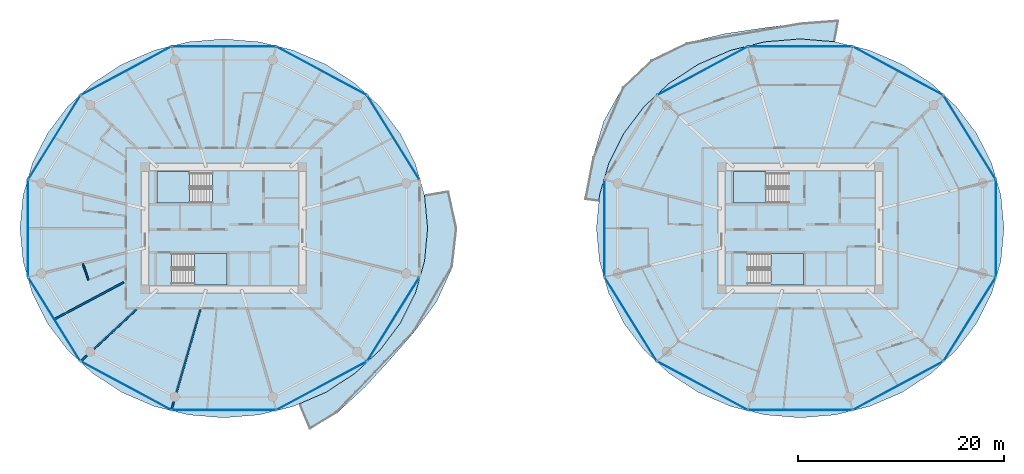
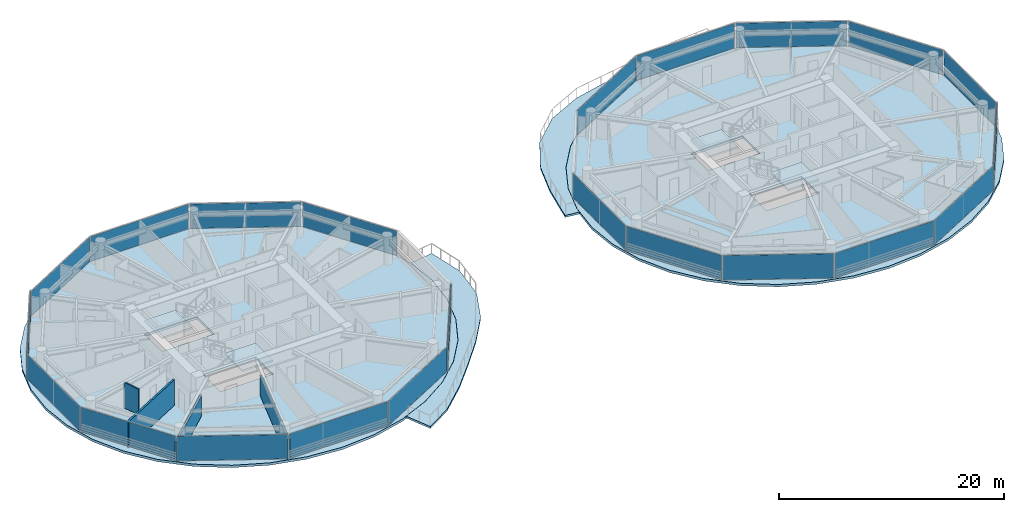
# One storey, part 14 of 27: 22 plates, 8 slabs, 4 walls, 26 elements without a shape of their own.
"""IFC4 building model written with IfcOpenShell, lengths in metres."""

from ifc_helpers import new_model, si_unit, direction, frame, frame_2d, origin, origin_2d, place, context, subcontext, project, spatial, polyline, rectangle, outline, extrude, source, transform, mapped, material, layer, layer_set, type_object, type_shapes, element, aggregate, save


model = new_model("IFC4")

# Units and contexts
model_context = context("Model", 3, precision=1e-05, world=origin(), true_north=direction((0.0, 1.0)))
body_context = subcontext(model_context, "Body", "Model", "MODEL_VIEW")
ifc_project = project(units=[si_unit("LENGTHUNIT", "METRE"), si_unit("AREAUNIT", "SQUARE_METRE"), si_unit("VOLUMEUNIT", "CUBIC_METRE"), si_unit("PLANEANGLEUNIT", "RADIAN"), si_unit("MASSUNIT", "GRAM", prefix="KILO")], contexts=[model_context])

# Site, building, storey
site_placement = place(None, origin())
site = spatial("IfcSite", under=ifc_project, at=site_placement, CompositionType="ELEMENT")
building_placement = place(site_placement, origin())
building = spatial("IfcBuilding", under=site, at=building_placement, Name="Norrkilde Senior Care Towers", CompositionType="ELEMENT")
storey_placement = place(building_placement, frame((0.0, 0.0, 61.25)))
storey = spatial("IfcBuildingStorey", under=building, at=storey_placement, Name="L18", CompositionType="ELEMENT", Elevation=61.25)

# Slabs
ifc_material_1 = material(Name="Concrete C50/60", Category="concrete")
ifc_layer_1 = layer(ifc_material_1, 0.215087890625)
ifc_layer_set_1 = layer_set([ifc_layer_1], Name="Concrete C50/60")
slab_type_1 = type_object("IfcSlabType", Name="Sinusoidal Balcony Ribbon Slab 215", PredefinedType="FLOOR", material=ifc_layer_set_1)
slab_1_placement = place(storey_placement, frame((0.0, 0.0, -0.215087890625)))
element("IfcSlab", 1, at=slab_1_placement, inside=storey, type_object=slab_type_1, Name="L18 Drum W Swirling Senior Balcony 1", PredefinedType="FLOOR", context=body_context, shape_type="SweptSolid", body=[
    extrude(outline(polyline([(-9.48828125, -10.0478515625), (-11.830078125, -12.732421875), (-14.259521484375, -15.394775390625), (-17.019287109375, -17.949462890625), (-19.6513671875, -19.542236328125), (-20.70751953125, -17.0703125), (-18.097412109375, -15.939208984375), (-15.26953125, -14.09912109375), (-12.828369140625, -11.83056640625), (-10.848388671875, -9.202392578125), (-9.389404296875, -6.294921875), (-8.495849609375, -3.196044921875), (-8.195068359375, 0.0), (-8.495849609375, 3.196044921875), (-8.511474609375, 3.25), (-6.128662109375, 3.647216796875), (-6.1279296875, 3.645263671875), (-5.337890625, 0.0), (-5.767333984375, -3.7138671875), (-7.31494140625, -7.107421875), (-9.48828125, -10.0478515625)])), origin(), (0.0, 0.0, 1.0), 0.215087890625),
])
slab_2_placement = place(storey_placement, frame((0.0, 0.0, -0.215087890625)))
element("IfcSlab", 2, at=slab_2_placement, inside=storey, type_object=slab_type_1, Name="L18 Drum E Swirling Senior Balcony 1", PredefinedType="FLOOR", context=body_context, shape_type="SweptSolid", body=[
    extrude(outline(polyline([(7.859619140625, 6.89404296875), (8.910888671875, 10.406494140625), (10.747314453125, 13.7099609375), (13.524169921875, 16.337646484375), (16.982177734375, 18.018310546875), (20.6787109375, 18.914306640625), (24.34228515625, 19.460205078125), (28.0, 19.948974609375), (31.774169921875, 20.2431640625), (31.38037109375, 18.130126953125), (28.0, 18.405029296875), (24.560791015625, 18.12548828125), (21.226318359375, 17.294921875), (18.097412109375, 15.939208984375), (15.26953125, 14.09912109375), (12.828369140625, 11.83056640625), (10.848388671875, 9.202392578125), (9.389404296875, 6.294921875), (8.495849609375, 3.196044921875), (8.439697265625, 2.599853515625), (7.062255859375, 2.782958984375), (7.174072265625, 3.44677734375), (7.859619140625, 6.89404296875)])), origin(), (0.0, 0.0, 1.0), 0.215087890625),
])

# Stair, slab
ifc_material_2 = material(Name="Concrete C45/55", Category="concrete")
stair_type = type_object("IfcStairType", Name="Core Protected Dogleg Stair Typical 3050", PredefinedType="HALF_TURN_STAIR", material=ifc_material_2)
stair_1_placement = place(storey_placement, origin())
stair_1 = element("IfcStair", 3, at=stair_1_placement, inside=storey, type_object=stair_type, Name="L18 Protected Core Stair W1", PredefinedType="HALF_TURN_STAIR")
ifc_layer_2 = layer(ifc_material_2, 0.199951171875)
ifc_layer_set_2 = layer_set([ifc_layer_2], Name="Concrete C45/55")
slab_type_2 = type_object("IfcSlabType", Name="Stair Landing Slab 200", PredefinedType="LANDING", material=ifc_layer_set_2)
slab_3_placement = place(storey_placement, frame((0.0, 0.0, 1.324951171875)))
slab_3 = element("IfcSlab", 4, at=slab_3_placement, type_object=slab_type_2, Name="ST-W1 landing 1", PredefinedType="LANDING", context=body_context, shape_type="SweptSolid", body=[
    extrude(outline(polyline([(-31.340087890625, 5.52490234375), (-34.5, 5.52490234375), (-34.5, 2.449951171875), (-31.340087890625, 2.449951171875), (-31.340087890625, 5.52490234375)])), origin(), (0.0, 0.0, 1.0), 0.199951171875),
])
aggregate(stair_1, [slab_3])

stair_2_placement = place(storey_placement, origin())
stair_2 = element("IfcStair", 5, at=stair_2_placement, inside=storey, type_object=stair_type, Name="L18 Protected Core Stair W2", PredefinedType="HALF_TURN_STAIR")
slab_4_placement = place(storey_placement, frame((0.0, 0.0, 1.324951171875)))
slab_4 = element("IfcSlab", 6, at=slab_4_placement, type_object=slab_type_2, Name="ST-W2 landing 1", PredefinedType="LANDING", context=body_context, shape_type="SweptSolid", body=[
    extrude(outline(polyline([(-30.860107421875, -5.52490234375), (-27.699951171875, -5.52490234375), (-27.699951171875, -2.449951171875), (-30.860107421875, -2.449951171875), (-30.860107421875, -5.52490234375)])), origin(), (0.0, 0.0, 1.0), 0.199951171875),
])
aggregate(stair_2, [slab_4])

stair_3_placement = place(storey_placement, origin())
stair_3 = element("IfcStair", 7, at=stair_3_placement, inside=storey, type_object=stair_type, Name="L18 Protected Core Stair E1", PredefinedType="HALF_TURN_STAIR")
slab_5_placement = place(storey_placement, frame((0.0, 0.0, 1.324951171875)))
slab_5 = element("IfcSlab", 8, at=slab_5_placement, type_object=slab_type_2, Name="ST-E1 landing 1", PredefinedType="LANDING", context=body_context, shape_type="SweptSolid", body=[
    extrude(outline(polyline([(24.659912109375, 5.52490234375), (21.5, 5.52490234375), (21.5, 2.449951171875), (24.659912109375, 2.449951171875), (24.659912109375, 5.52490234375)])), origin(), (0.0, 0.0, 1.0), 0.199951171875),
])
aggregate(stair_3, [slab_5])

stair_4_placement = place(storey_placement, origin())
stair_4 = element("IfcStair", 9, at=stair_4_placement, inside=storey, type_object=stair_type, Name="L18 Protected Core Stair E2", PredefinedType="HALF_TURN_STAIR")
slab_6_placement = place(storey_placement, frame((0.0, 0.0, 1.324951171875)))
slab_6 = element("IfcSlab", 10, at=slab_6_placement, type_object=slab_type_2, Name="ST-E2 landing 1", PredefinedType="LANDING", context=body_context, shape_type="SweptSolid", body=[
    extrude(outline(polyline([(25.139892578125, -5.52490234375), (28.300048828125, -5.52490234375), (28.300048828125, -2.449951171875), (25.139892578125, -2.449951171875), (25.139892578125, -5.52490234375)])), origin(), (0.0, 0.0, 1.0), 0.199951171875),
])
aggregate(stair_4, [slab_6])

# Slabs
ifc_layer_3 = layer(ifc_material_1, 0.260009765625)
ifc_layer_set_3 = layer_set([ifc_layer_3], Name="Concrete C50/60")
slab_type_3 = type_object("IfcSlabType", Name="Tower Care Floor Slab 260", PredefinedType="FLOOR", material=ifc_layer_set_3)
slab_7_placement = place(storey_placement, frame((0.0, 0.0, -0.260009765625)))
element("IfcSlab", 11, at=slab_7_placement, inside=storey, type_object=slab_type_3, Name="L18 Drum W Structural Floor Slab", PredefinedType="FLOOR", context=body_context, shape_type="SweptSolid", body=[
    extrude(outline(polyline([(-9.39404296875, -6.293212890625), (-10.852783203125, -9.199951171875), (-12.832275390625, -11.827392578125), (-15.272705078125, -14.09521484375), (-18.10009765625, -15.934814453125), (-21.22802734375, -17.290283203125), (-24.561767578125, -18.120361328125), (-28.0, -18.39990234375), (-31.438232421875, -18.120361328125), (-34.77197265625, -17.290283203125), (-37.89990234375, -15.934814453125), (-40.727294921875, -14.09521484375), (-43.167724609375, -11.827392578125), (-45.147216796875, -9.199951171875), (-46.60595703125, -6.293212890625), (-47.499267578125, -3.195068359375), (-47.800048828125, 0.0), (-47.499267578125, 3.195068359375), (-46.60595703125, 6.293212890625), (-45.147216796875, 9.199951171875), (-43.167724609375, 11.827392578125), (-40.727294921875, 14.09521484375), (-37.89990234375, 15.934814453125), (-34.77197265625, 17.290283203125), (-31.438232421875, 18.120361328125), (-28.0, 18.39990234375), (-24.561767578125, 18.120361328125), (-21.22802734375, 17.290283203125), (-18.10009765625, 15.934814453125), (-15.272705078125, 14.09521484375), (-12.832275390625, 11.827392578125), (-10.852783203125, 9.199951171875), (-9.39404296875, 6.293212890625), (-8.500732421875, 3.195068359375), (-8.199951171875, 0.0), (-8.500732421875, -3.195068359375), (-9.39404296875, -6.293212890625)]), holes=[polyline([(-34.48193359375, 2.468017578125), (-29.117919921875, 2.468017578125), (-29.117919921875, 5.52490234375), (-34.48193359375, 5.52490234375), (-34.48193359375, 2.468017578125)]), polyline([(-27.718017578125, -5.52490234375), (-27.718017578125, -2.468017578125), (-33.08203125, -2.468017578125), (-33.08203125, -5.52490234375), (-27.718017578125, -5.52490234375)])]), origin(), (0.0, 0.0, 1.0), 0.260009765625),
])
slab_8_placement = place(storey_placement, frame((0.0, 0.0, -0.260009765625)))
element("IfcSlab", 12, at=slab_8_placement, inside=storey, type_object=slab_type_3, Name="L18 Drum E Structural Floor Slab", PredefinedType="FLOOR", context=body_context, shape_type="SweptSolid", body=[
    extrude(outline(polyline([(46.60595703125, -6.293212890625), (45.147216796875, -9.199951171875), (43.167724609375, -11.827392578125), (40.727294921875, -14.09521484375), (37.89990234375, -15.934814453125), (34.77197265625, -17.290283203125), (31.438232421875, -18.120361328125), (28.0, -18.39990234375), (24.561767578125, -18.120361328125), (21.22802734375, -17.290283203125), (18.10009765625, -15.934814453125), (15.272705078125, -14.09521484375), (12.832275390625, -11.827392578125), (10.852783203125, -9.199951171875), (9.39404296875, -6.293212890625), (8.500732421875, -3.195068359375), (8.199951171875, 0.0), (8.500732421875, 3.195068359375), (9.39404296875, 6.293212890625), (10.852783203125, 9.199951171875), (12.832275390625, 11.827392578125), (15.272705078125, 14.09521484375), (18.10009765625, 15.934814453125), (21.22802734375, 17.290283203125), (24.561767578125, 18.120361328125), (28.0, 18.39990234375), (31.438232421875, 18.120361328125), (34.77197265625, 17.290283203125), (37.89990234375, 15.934814453125), (40.727294921875, 14.09521484375), (43.167724609375, 11.827392578125), (45.147216796875, 9.199951171875), (46.60595703125, 6.293212890625), (47.499267578125, 3.195068359375), (47.800048828125, 0.0), (47.499267578125, -3.195068359375), (46.60595703125, -6.293212890625)]), holes=[polyline([(21.51806640625, 2.468017578125), (26.882080078125, 2.468017578125), (26.882080078125, 5.52490234375), (21.51806640625, 5.52490234375), (21.51806640625, 2.468017578125)]), polyline([(28.281982421875, -5.52490234375), (28.281982421875, -2.468017578125), (22.91796875, -2.468017578125), (22.91796875, -5.52490234375), (28.281982421875, -5.52490234375)])]), origin(), (0.0, 0.0, 1.0), 0.260009765625),
])

# Curtain wall, plate
ifc_material_3 = material(Name="Triple Low-E Insulated Glazing", Category="glass")
ifc_layer_4 = layer(ifc_material_3, 0.199951171875)
ifc_layer_set_4 = layer_set([ifc_layer_4], Name="Triple Low-E Insulated Glazing")
curtain_wall_type = type_object("IfcCurtainWallType", Name="CW2 Zone 1 Memory Care Curtain Wall", PredefinedType="NOTDEFINED", material=ifc_layer_set_4)
curtain_wall_1_placement = place(storey_placement, origin())
curtain_wall_1 = element("IfcCurtainWall", 13, at=curtain_wall_1_placement, inside=storey, type_object=curtain_wall_type, Name="L18 Drum W Curtain Wall 00", PredefinedType="NOTDEFINED")
ifc_layer_5 = layer(ifc_material_3, 0.035888671875)
ifc_layer_set_5 = layer_set([ifc_layer_5], Name="Triple Low-E Insulated Glazing")
plate_type = type_object("IfcPlateType", Name="Triple Low-E Vision Curtain Panel 36", PredefinedType="CURTAIN_PANEL", material=ifc_layer_set_5)
shared_shape_1 = source(origin(), body_context, "Body", "SweptSolid", [
    extrude(rectangle(XDim=9.518798828125, YDim=0.035888671875, at=origin_2d()), origin(), (0.0, 0.0, 1.0), 2.669921875),
])
plate_1_placement = place(storey_placement, frame((-11.537353515625, 8.82861328125, 0.06005859375), z_axis=(0.0, 0.0, 1.0), x_axis=(0.527900951871, -0.849305943117, 0.0)))
plate_1 = element("IfcPlate", 14, at=plate_1_placement, type_object=plate_type, Name="CW-2 panel 1.1", PredefinedType="CURTAIN_PANEL", context=body_context, shape_type="MappedRepresentation", body=[
    mapped(shared_shape_1, transform((0.0, 0.0, 0.0), x_axis=(1.0, 0.0, 0.0), y_axis=(0.0, 1.0, 0.0), z_axis=(0.0, 0.0, 1.0), scale=1.0)),
])
aggregate(curtain_wall_1, [plate_1])

curtain_wall_2_placement = place(storey_placement, origin())
curtain_wall_2 = element("IfcCurtainWall", 15, at=curtain_wall_2_placement, inside=storey, type_object=curtain_wall_type, Name="L18 Drum W Curtain Wall 04", PredefinedType="NOTDEFINED")
plate_2_placement = place(storey_placement, frame((-44.462646484375, 8.82861328125, 0.06005859375), z_axis=(0.0, 0.0, 1.0), x_axis=(0.527900951871, 0.849305943117, 0.0)))
plate_2 = element("IfcPlate", 16, at=plate_2_placement, type_object=plate_type, Name="CW-2 panel 1.1", PredefinedType="CURTAIN_PANEL", context=body_context, shape_type="MappedRepresentation", body=[
    mapped(shared_shape_1, transform((0.0, 0.0, 0.0), x_axis=(1.0, 0.0, 0.0), y_axis=(0.0, 1.0, 0.0), z_axis=(0.0, 0.0, 1.0), scale=1.0)),
])
aggregate(curtain_wall_2, [plate_2])

curtain_wall_3_placement = place(storey_placement, origin())
curtain_wall_3 = element("IfcCurtainWall", 17, at=curtain_wall_3_placement, inside=storey, type_object=curtain_wall_type, Name="L18 Drum W Curtain Wall 06", PredefinedType="NOTDEFINED")
plate_3_placement = place(storey_placement, frame((-44.462646484375, -8.82861328125, 0.06005859375), z_axis=(0.0, 0.0, 1.0), x_axis=(-0.527900951871, 0.849305943117, 0.0)))
plate_3 = element("IfcPlate", 18, at=plate_3_placement, type_object=plate_type, Name="CW-2 panel 1.1", PredefinedType="CURTAIN_PANEL", context=body_context, shape_type="MappedRepresentation", body=[
    mapped(shared_shape_1, transform((0.0, 0.0, 0.0), x_axis=(1.0, 0.0, 0.0), y_axis=(0.0, 1.0, 0.0), z_axis=(0.0, 0.0, 1.0), scale=1.0)),
])
aggregate(curtain_wall_3, [plate_3])

curtain_wall_4_placement = place(storey_placement, origin())
curtain_wall_4 = element("IfcCurtainWall", 19, at=curtain_wall_4_placement, inside=storey, type_object=curtain_wall_type, Name="L18 Drum W Curtain Wall 10", PredefinedType="NOTDEFINED")
plate_4_placement = place(storey_placement, frame((-11.537353515625, -8.82861328125, 0.06005859375), z_axis=(0.0, 0.0, 1.0), x_axis=(-0.527900951871, -0.849305943117, 0.0)))
plate_4 = element("IfcPlate", 20, at=plate_4_placement, type_object=plate_type, Name="CW-2 panel 1.1", PredefinedType="CURTAIN_PANEL", context=body_context, shape_type="MappedRepresentation", body=[
    mapped(shared_shape_1, transform((0.0, 0.0, 0.0), x_axis=(1.0, 0.0, 0.0), y_axis=(0.0, 1.0, 0.0), z_axis=(0.0, 0.0, 1.0), scale=1.0)),
])
aggregate(curtain_wall_4, [plate_4])

curtain_wall_5_placement = place(storey_placement, origin())
curtain_wall_5 = element("IfcCurtainWall", 21, at=curtain_wall_5_placement, inside=storey, type_object=curtain_wall_type, Name="L18 Drum E Curtain Wall 00", PredefinedType="NOTDEFINED")
plate_5_placement = place(storey_placement, frame((44.462646484375, 8.82861328125, 0.06005859375), z_axis=(0.0, 0.0, 1.0), x_axis=(0.527900951871, -0.849305943117, 0.0)))
plate_5 = element("IfcPlate", 22, at=plate_5_placement, type_object=plate_type, Name="CW-2 panel 1.1", PredefinedType="CURTAIN_PANEL", context=body_context, shape_type="MappedRepresentation", body=[
    mapped(shared_shape_1, transform((0.0, 0.0, 0.0), x_axis=(1.0, 0.0, 0.0), y_axis=(0.0, 1.0, 0.0), z_axis=(0.0, 0.0, 1.0), scale=1.0)),
])
aggregate(curtain_wall_5, [plate_5])

curtain_wall_6_placement = place(storey_placement, origin())
curtain_wall_6 = element("IfcCurtainWall", 23, at=curtain_wall_6_placement, inside=storey, type_object=curtain_wall_type, Name="L18 Drum E Curtain Wall 06", PredefinedType="NOTDEFINED")
plate_6_placement = place(storey_placement, frame((11.537353515625, -8.82861328125, 0.06005859375), z_axis=(0.0, 0.0, 1.0), x_axis=(-0.527900951871, 0.849305943117, 0.0)))
plate_6 = element("IfcPlate", 24, at=plate_6_placement, type_object=plate_type, Name="CW-2 panel 1.1", PredefinedType="CURTAIN_PANEL", context=body_context, shape_type="MappedRepresentation", body=[
    mapped(shared_shape_1, transform((0.0, 0.0, 0.0), x_axis=(1.0, 0.0, 0.0), y_axis=(0.0, 1.0, 0.0), z_axis=(0.0, 0.0, 1.0), scale=1.0)),
])
aggregate(curtain_wall_6, [plate_6])

curtain_wall_7_placement = place(storey_placement, origin())
curtain_wall_7 = element("IfcCurtainWall", 25, at=curtain_wall_7_placement, inside=storey, type_object=curtain_wall_type, Name="L18 Drum E Curtain Wall 10", PredefinedType="NOTDEFINED")
plate_7_placement = place(storey_placement, frame((44.462646484375, -8.82861328125, 0.06005859375), z_axis=(0.0, 0.0, 1.0), x_axis=(-0.527900951871, -0.849305943117, 0.0)))
plate_7 = element("IfcPlate", 26, at=plate_7_placement, type_object=plate_type, Name="CW-2 panel 1.1", PredefinedType="CURTAIN_PANEL", context=body_context, shape_type="MappedRepresentation", body=[
    mapped(shared_shape_1, transform((0.0, 0.0, 0.0), x_axis=(1.0, 0.0, 0.0), y_axis=(0.0, 1.0, 0.0), z_axis=(0.0, 0.0, 1.0), scale=1.0)),
])
aggregate(curtain_wall_7, [plate_7])

curtain_wall_8_placement = place(storey_placement, origin())
curtain_wall_8 = element("IfcCurtainWall", 27, at=curtain_wall_8_placement, inside=storey, type_object=curtain_wall_type, Name="L18 Drum W Curtain Wall 01", PredefinedType="NOTDEFINED")
shared_shape_2 = source(origin(), body_context, "Body", "SweptSolid", [
    extrude(rectangle(XDim=9.880859375, YDim=0.035888671875, at=origin_2d()), origin(), (0.0, 0.0, 1.0), 2.669921875),
])
plate_8_placement = place(storey_placement, frame((-18.495361328125, 15.29150390625, 0.06005859375), z_axis=(0.0, 0.0, 1.0), x_axis=(0.881272866403, -0.472607802456, 0.0)))
plate_8 = element("IfcPlate", 28, at=plate_8_placement, type_object=plate_type, Name="CW-2 panel 1.1", PredefinedType="CURTAIN_PANEL", context=body_context, shape_type="MappedRepresentation", body=[
    mapped(shared_shape_2, transform((0.0, 0.0, 0.0), x_axis=(1.0, 0.0, 0.0), y_axis=(0.0, 1.0, 0.0), z_axis=(0.0, 0.0, 1.0), scale=1.0)),
])
aggregate(curtain_wall_8, [plate_8])

curtain_wall_9_placement = place(storey_placement, origin())
curtain_wall_9 = element("IfcCurtainWall", 29, at=curtain_wall_9_placement, inside=storey, type_object=curtain_wall_type, Name="L18 Drum W Curtain Wall 03", PredefinedType="NOTDEFINED")
plate_9_placement = place(storey_placement, frame((-37.504638671875, 15.29150390625, 0.06005859375), z_axis=(0.0, 0.0, 1.0), x_axis=(0.881272866403, 0.472607802456, 0.0)))
plate_9 = element("IfcPlate", 30, at=plate_9_placement, type_object=plate_type, Name="CW-2 panel 1.1", PredefinedType="CURTAIN_PANEL", context=body_context, shape_type="MappedRepresentation", body=[
    mapped(shared_shape_2, transform((0.0, 0.0, 0.0), x_axis=(1.0, 0.0, 0.0), y_axis=(0.0, 1.0, 0.0), z_axis=(0.0, 0.0, 1.0), scale=1.0)),
])
aggregate(curtain_wall_9, [plate_9])

curtain_wall_10_placement = place(storey_placement, origin())
curtain_wall_10 = element("IfcCurtainWall", 31, at=curtain_wall_10_placement, inside=storey, type_object=curtain_wall_type, Name="L18 Drum W Curtain Wall 07", PredefinedType="NOTDEFINED")
plate_10_placement = place(storey_placement, frame((-37.504638671875, -15.29150390625, 0.06005859375), z_axis=(0.0, 0.0, 1.0), x_axis=(-0.881272866403, 0.472607802456, 0.0)))
plate_10 = element("IfcPlate", 32, at=plate_10_placement, type_object=plate_type, Name="CW-2 panel 1.1", PredefinedType="CURTAIN_PANEL", context=body_context, shape_type="MappedRepresentation", body=[
    mapped(shared_shape_2, transform((0.0, 0.0, 0.0), x_axis=(1.0, 0.0, 0.0), y_axis=(0.0, 1.0, 0.0), z_axis=(0.0, 0.0, 1.0), scale=1.0)),
])
aggregate(curtain_wall_10, [plate_10])

curtain_wall_11_placement = place(storey_placement, origin())
curtain_wall_11 = element("IfcCurtainWall", 33, at=curtain_wall_11_placement, inside=storey, type_object=curtain_wall_type, Name="L18 Drum W Curtain Wall 09", PredefinedType="NOTDEFINED")
plate_11_placement = place(storey_placement, frame((-18.495361328125, -15.29150390625, 0.06005859375), z_axis=(0.0, 0.0, 1.0), x_axis=(-0.881272866403, -0.472607802456, 0.0)))
plate_11 = element("IfcPlate", 34, at=plate_11_placement, type_object=plate_type, Name="CW-2 panel 1.1", PredefinedType="CURTAIN_PANEL", context=body_context, shape_type="MappedRepresentation", body=[
    mapped(shared_shape_2, transform((0.0, 0.0, 0.0), x_axis=(1.0, 0.0, 0.0), y_axis=(0.0, 1.0, 0.0), z_axis=(0.0, 0.0, 1.0), scale=1.0)),
])
aggregate(curtain_wall_11, [plate_11])

curtain_wall_12_placement = place(storey_placement, origin())
curtain_wall_12 = element("IfcCurtainWall", 35, at=curtain_wall_12_placement, inside=storey, type_object=curtain_wall_type, Name="L18 Drum E Curtain Wall 01", PredefinedType="NOTDEFINED")
plate_12_placement = place(storey_placement, frame((37.504638671875, 15.29150390625, 0.06005859375), z_axis=(0.0, 0.0, 1.0), x_axis=(0.881272866403, -0.472607802456, 0.0)))
plate_12 = element("IfcPlate", 36, at=plate_12_placement, type_object=plate_type, Name="CW-2 panel 1.1", PredefinedType="CURTAIN_PANEL", context=body_context, shape_type="MappedRepresentation", body=[
    mapped(shared_shape_2, transform((0.0, 0.0, 0.0), x_axis=(1.0, 0.0, 0.0), y_axis=(0.0, 1.0, 0.0), z_axis=(0.0, 0.0, 1.0), scale=1.0)),
])
aggregate(curtain_wall_12, [plate_12])

curtain_wall_13_placement = place(storey_placement, origin())
curtain_wall_13 = element("IfcCurtainWall", 37, at=curtain_wall_13_placement, inside=storey, type_object=curtain_wall_type, Name="L18 Drum E Curtain Wall 03", PredefinedType="NOTDEFINED")
plate_13_placement = place(storey_placement, frame((18.495361328125, 15.29150390625, 0.06005859375), z_axis=(0.0, 0.0, 1.0), x_axis=(0.881272866403, 0.472607802456, 0.0)))
plate_13 = element("IfcPlate", 38, at=plate_13_placement, type_object=plate_type, Name="CW-2 panel 1.1", PredefinedType="CURTAIN_PANEL", context=body_context, shape_type="MappedRepresentation", body=[
    mapped(shared_shape_2, transform((0.0, 0.0, 0.0), x_axis=(1.0, 0.0, 0.0), y_axis=(0.0, 1.0, 0.0), z_axis=(0.0, 0.0, 1.0), scale=1.0)),
])
aggregate(curtain_wall_13, [plate_13])

curtain_wall_14_placement = place(storey_placement, origin())
curtain_wall_14 = element("IfcCurtainWall", 39, at=curtain_wall_14_placement, inside=storey, type_object=curtain_wall_type, Name="L18 Drum E Curtain Wall 07", PredefinedType="NOTDEFINED")
plate_14_placement = place(storey_placement, frame((18.495361328125, -15.29150390625, 0.06005859375), z_axis=(0.0, 0.0, 1.0), x_axis=(-0.881272866403, 0.472607802456, 0.0)))
plate_14 = element("IfcPlate", 40, at=plate_14_placement, type_object=plate_type, Name="CW-2 panel 1.1", PredefinedType="CURTAIN_PANEL", context=body_context, shape_type="MappedRepresentation", body=[
    mapped(shared_shape_2, transform((0.0, 0.0, 0.0), x_axis=(1.0, 0.0, 0.0), y_axis=(0.0, 1.0, 0.0), z_axis=(0.0, 0.0, 1.0), scale=1.0)),
])
aggregate(curtain_wall_14, [plate_14])

curtain_wall_15_placement = place(storey_placement, origin())
curtain_wall_15 = element("IfcCurtainWall", 41, at=curtain_wall_15_placement, inside=storey, type_object=curtain_wall_type, Name="L18 Drum E Curtain Wall 09", PredefinedType="NOTDEFINED")
plate_15_placement = place(storey_placement, frame((37.504638671875, -15.29150390625, 0.06005859375), z_axis=(0.0, 0.0, 1.0), x_axis=(-0.881272866403, -0.472607802456, 0.0)))
plate_15 = element("IfcPlate", 42, at=plate_15_placement, type_object=plate_type, Name="CW-2 panel 1.1", PredefinedType="CURTAIN_PANEL", context=body_context, shape_type="MappedRepresentation", body=[
    mapped(shared_shape_2, transform((0.0, 0.0, 0.0), x_axis=(1.0, 0.0, 0.0), y_axis=(0.0, 1.0, 0.0), z_axis=(0.0, 0.0, 1.0), scale=1.0)),
])
aggregate(curtain_wall_15, [plate_15])

curtain_wall_16_placement = place(storey_placement, origin())
curtain_wall_16 = element("IfcCurtainWall", 43, at=curtain_wall_16_placement, inside=storey, type_object=curtain_wall_type, Name="L18 Drum W Curtain Wall 05", PredefinedType="NOTDEFINED")
shared_shape_3 = source(origin(), body_context, "Body", "SweptSolid", [
    extrude(rectangle(XDim=9.33251953125, YDim=0.035888671875, at=origin_2d()), origin(), (0.0, 0.0, 1.0), 2.669921875),
])
plate_16_placement = place(storey_placement, frame((-47.009521484375, 0.0, 0.06005859375), z_axis=(0.0, 0.0, 1.0), x_axis=(0.0, 1.0, 0.0)))
plate_16 = element("IfcPlate", 44, at=plate_16_placement, type_object=plate_type, Name="CW-2 panel 1.1", PredefinedType="CURTAIN_PANEL", context=body_context, shape_type="MappedRepresentation", body=[
    mapped(shared_shape_3, transform((0.0, 0.0, 0.0), x_axis=(1.0, 0.0, 0.0), y_axis=(0.0, 1.0, 0.0), z_axis=(0.0, 0.0, 1.0), scale=1.0)),
])
aggregate(curtain_wall_16, [plate_16])

curtain_wall_17_placement = place(storey_placement, origin())
curtain_wall_17 = element("IfcCurtainWall", 45, at=curtain_wall_17_placement, inside=storey, type_object=curtain_wall_type, Name="L18 Drum E Curtain Wall 05", PredefinedType="NOTDEFINED")
plate_17_placement = place(storey_placement, frame((8.990478515625, 0.0, 0.06005859375), z_axis=(0.0, 0.0, 1.0), x_axis=(0.0, 1.0, 0.0)))
plate_17 = element("IfcPlate", 46, at=plate_17_placement, type_object=plate_type, Name="CW-2 panel 1.1", PredefinedType="CURTAIN_PANEL", context=body_context, shape_type="MappedRepresentation", body=[
    mapped(shared_shape_3, transform((0.0, 0.0, 0.0), x_axis=(1.0, 0.0, 0.0), y_axis=(0.0, 1.0, 0.0), z_axis=(0.0, 0.0, 1.0), scale=1.0)),
])
aggregate(curtain_wall_17, [plate_17])

curtain_wall_18_placement = place(storey_placement, origin())
curtain_wall_18 = element("IfcCurtainWall", 47, at=curtain_wall_18_placement, inside=storey, type_object=curtain_wall_type, Name="L18 Drum E Curtain Wall 11", PredefinedType="NOTDEFINED")
plate_18_placement = place(storey_placement, frame((47.009521484375, 0.0, 0.06005859375), z_axis=(0.0, 0.0, 1.0), x_axis=(0.0, -1.0, 0.0)))
plate_18 = element("IfcPlate", 48, at=plate_18_placement, type_object=plate_type, Name="CW-2 panel 1.1", PredefinedType="CURTAIN_PANEL", context=body_context, shape_type="MappedRepresentation", body=[
    mapped(shared_shape_3, transform((0.0, 0.0, 0.0), x_axis=(1.0, 0.0, 0.0), y_axis=(0.0, 1.0, 0.0), z_axis=(0.0, 0.0, 1.0), scale=1.0)),
])
aggregate(curtain_wall_18, [plate_18])

curtain_wall_19_placement = place(storey_placement, origin())
curtain_wall_19 = element("IfcCurtainWall", 49, at=curtain_wall_19_placement, inside=storey, type_object=curtain_wall_type, Name="L18 Drum W Curtain Wall 02", PredefinedType="NOTDEFINED")
shared_shape_4 = source(origin(), body_context, "Body", "SweptSolid", [
    extrude(rectangle(XDim=10.05712890625, YDim=0.035888671875, at=origin_2d()), origin(), (0.0, 0.0, 1.0), 2.669921875),
])
type_shapes(plate_type, [shared_shape_1, shared_shape_2, shared_shape_3, shared_shape_4])
plate_19_placement = place(storey_placement, frame((-28.0, 17.6572265625, 0.06005859375), z_axis=(0.0, 0.0, 1.0), x_axis=(1.0, 0.0, 0.0)))
plate_19 = element("IfcPlate", 50, at=plate_19_placement, type_object=plate_type, Name="CW-2 panel 1.1", PredefinedType="CURTAIN_PANEL", context=body_context, shape_type="MappedRepresentation", body=[
    mapped(shared_shape_4, transform((0.0, 0.0, 0.0), x_axis=(1.0, 0.0, 0.0), y_axis=(0.0, 1.0, 0.0), z_axis=(0.0, 0.0, 1.0), scale=1.0)),
])
aggregate(curtain_wall_19, [plate_19])

curtain_wall_20_placement = place(storey_placement, origin())
curtain_wall_20 = element("IfcCurtainWall", 51, at=curtain_wall_20_placement, inside=storey, type_object=curtain_wall_type, Name="L18 Drum W Curtain Wall 08", PredefinedType="NOTDEFINED")
plate_20_placement = place(storey_placement, frame((-28.0, -17.6572265625, 0.06005859375), z_axis=(0.0, 0.0, 1.0), x_axis=(-1.0, 0.0, 0.0)))
plate_20 = element("IfcPlate", 52, at=plate_20_placement, type_object=plate_type, Name="CW-2 panel 1.1", PredefinedType="CURTAIN_PANEL", context=body_context, shape_type="MappedRepresentation", body=[
    mapped(shared_shape_4, transform((0.0, 0.0, 0.0), x_axis=(1.0, 0.0, 0.0), y_axis=(0.0, 1.0, 0.0), z_axis=(0.0, 0.0, 1.0), scale=1.0)),
])
aggregate(curtain_wall_20, [plate_20])

curtain_wall_21_placement = place(storey_placement, origin())
curtain_wall_21 = element("IfcCurtainWall", 53, at=curtain_wall_21_placement, inside=storey, type_object=curtain_wall_type, Name="L18 Drum E Curtain Wall 02", PredefinedType="NOTDEFINED")
plate_21_placement = place(storey_placement, frame((28.0, 17.6572265625, 0.06005859375), z_axis=(0.0, 0.0, 1.0), x_axis=(1.0, 0.0, 0.0)))
plate_21 = element("IfcPlate", 54, at=plate_21_placement, type_object=plate_type, Name="CW-2 panel 1.1", PredefinedType="CURTAIN_PANEL", context=body_context, shape_type="MappedRepresentation", body=[
    mapped(shared_shape_4, transform((0.0, 0.0, 0.0), x_axis=(1.0, 0.0, 0.0), y_axis=(0.0, 1.0, 0.0), z_axis=(0.0, 0.0, 1.0), scale=1.0)),
])
aggregate(curtain_wall_21, [plate_21])

curtain_wall_22_placement = place(storey_placement, origin())
curtain_wall_22 = element("IfcCurtainWall", 55, at=curtain_wall_22_placement, inside=storey, type_object=curtain_wall_type, Name="L18 Drum E Curtain Wall 08", PredefinedType="NOTDEFINED")
plate_22_placement = place(storey_placement, frame((28.0, -17.6572265625, 0.06005859375), z_axis=(0.0, 0.0, 1.0), x_axis=(-1.0, 0.0, 0.0)))
plate_22 = element("IfcPlate", 56, at=plate_22_placement, type_object=plate_type, Name="CW-2 panel 1.1", PredefinedType="CURTAIN_PANEL", context=body_context, shape_type="MappedRepresentation", body=[
    mapped(shared_shape_4, transform((0.0, 0.0, 0.0), x_axis=(1.0, 0.0, 0.0), y_axis=(0.0, 1.0, 0.0), z_axis=(0.0, 0.0, 1.0), scale=1.0)),
])
aggregate(curtain_wall_22, [plate_22])

# Walls
ifc_material_4 = material(Name="Gypsum Acoustic Board")
ifc_layer_6 = layer(ifc_material_4, 0.18994140625)
ifc_layer_set_6 = layer_set([ifc_layer_6], Name="Gypsum Acoustic Board")
wall_type_1 = type_object("IfcWallType", Name="Unit Demising Acoustic Wall 190", PredefinedType="PARTITIONING", material=ifc_layer_set_6)
shared_shape_5 = source(origin(), body_context, "Body", "SweptSolid", [
    extrude(rectangle(XDim=7.6767578125, YDim=0.18994140625, at=frame_2d((3.83837890625, 0.0))), origin(), (0.0, 0.0, 1.0), 2.77490234375),
])
wall_1_placement = place(storey_placement, frame((-37.703125, -5.23095703125, 0.0), z_axis=(0.0, 0.0, 1.0), x_axis=(-0.882725057546, -0.469889851753, 0.0)))
element("IfcWall", 57, at=wall_1_placement, inside=storey, type_object=wall_type_1, Name="WL-INT-L18-W-CMID-06", PredefinedType="PARTITIONING", context=body_context, shape_type="MappedRepresentation", body=[
    mapped(shared_shape_5, transform((0.0, 0.0, 0.0), x_axis=(1.0, 0.0, 0.0), y_axis=(0.0, 1.0, 0.0), z_axis=(0.0, 0.0, 1.0), scale=1.0)),
])
ifc_layer_7 = layer(ifc_material_4, 0.139892578125)
ifc_layer_set_7 = layer_set([ifc_layer_7], Name="Gypsum Acoustic Board")
wall_type_2 = type_object("IfcWallType", Name="En-suite Wet Room Wall 140", PredefinedType="PARTITIONING", material=ifc_layer_set_7)
shared_shape_6 = source(origin(), body_context, "Body", "SweptSolid", [
    extrude(rectangle(XDim=1.67578125, YDim=0.139892578125, at=frame_2d((0.837890625, 0.0))), origin(), (0.0, 0.0, 1.0), 2.77490234375),
])
type_shapes(wall_type_2, [shared_shape_6])
wall_2_placement = place(storey_placement, frame((-41.150146484375, -5.010986328125, 0.0), z_axis=(0.0, 0.0, 1.0), x_axis=(-0.327785970556, 0.944752008469, 0.0)))
element("IfcWall", 58, at=wall_2_placement, inside=storey, type_object=wall_type_2, Name="WL-INT-L18-W-EF-06A", PredefinedType="PARTITIONING", context=body_context, shape_type="MappedRepresentation", body=[
    mapped(shared_shape_6, transform((0.0, 0.0, 0.0), x_axis=(1.0, 0.0, 0.0), y_axis=(0.0, 1.0, 0.0), z_axis=(0.0, 0.0, 1.0), scale=1.0)),
])
shared_shape_7 = source(origin(), body_context, "Body", "SweptSolid", [
    extrude(rectangle(XDim=7.4345703125, YDim=0.18994140625, at=frame_2d((3.71728515625, 0.0))), origin(), (0.0, 0.0, 1.0), 2.22509765625),
])
wall_3_placement = place(storey_placement, frame((-36.48291015625, -7.8798828125, 0.0), z_axis=(0.0, 0.0, 1.0), x_axis=(-0.732651956848, -0.680603489652, 0.0)))
element("IfcWall", 59, at=wall_3_placement, inside=storey, type_object=wall_type_1, Name="WL-INT-L18-W-DEM-07-0", PredefinedType="PARTITIONING", context=body_context, shape_type="MappedRepresentation", body=[
    mapped(shared_shape_7, transform((0.0, 0.0, 0.0), x_axis=(1.0, 0.0, 0.0), y_axis=(0.0, 1.0, 0.0), z_axis=(0.0, 0.0, 1.0), scale=1.0)),
])
shared_shape_8 = source(origin(), body_context, "Body", "SweptSolid", [
    extrude(rectangle(XDim=10.196044921875, YDim=0.18994140625, at=frame_2d((5.09814453125, 0.0))), origin(), (0.0, 0.0, 1.0), 2.22509765625),
])
type_shapes(wall_type_1, [shared_shape_5, shared_shape_7, shared_shape_8])
wall_4_placement = place(storey_placement, frame((-30.27294921875, -7.8798828125, 0.0), z_axis=(0.0, 0.0, 1.0), x_axis=(-0.277136420347, -0.960830580549, 0.0)))
element("IfcWall", 60, at=wall_4_placement, inside=storey, type_object=wall_type_1, Name="WL-INT-L18-W-DEM-08-0", PredefinedType="PARTITIONING", context=body_context, shape_type="MappedRepresentation", body=[
    mapped(shared_shape_8, transform((0.0, 0.0, 0.0), x_axis=(1.0, 0.0, 0.0), y_axis=(0.0, 1.0, 0.0), z_axis=(0.0, 0.0, 1.0), scale=1.0)),
])

save(model, "model.ifc")
